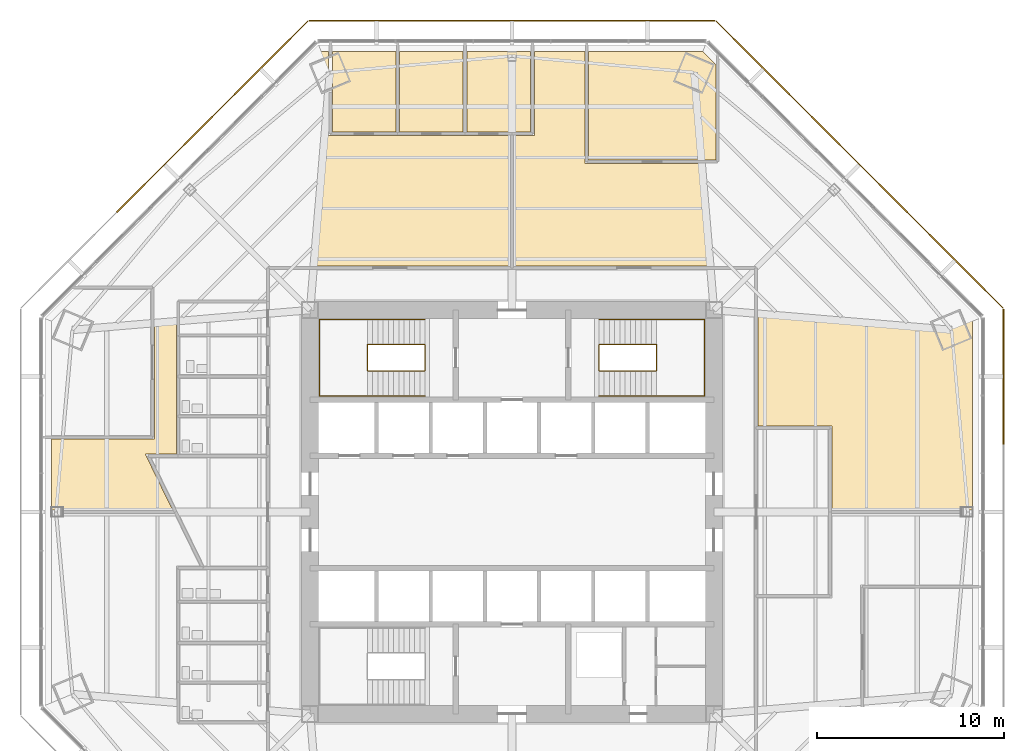
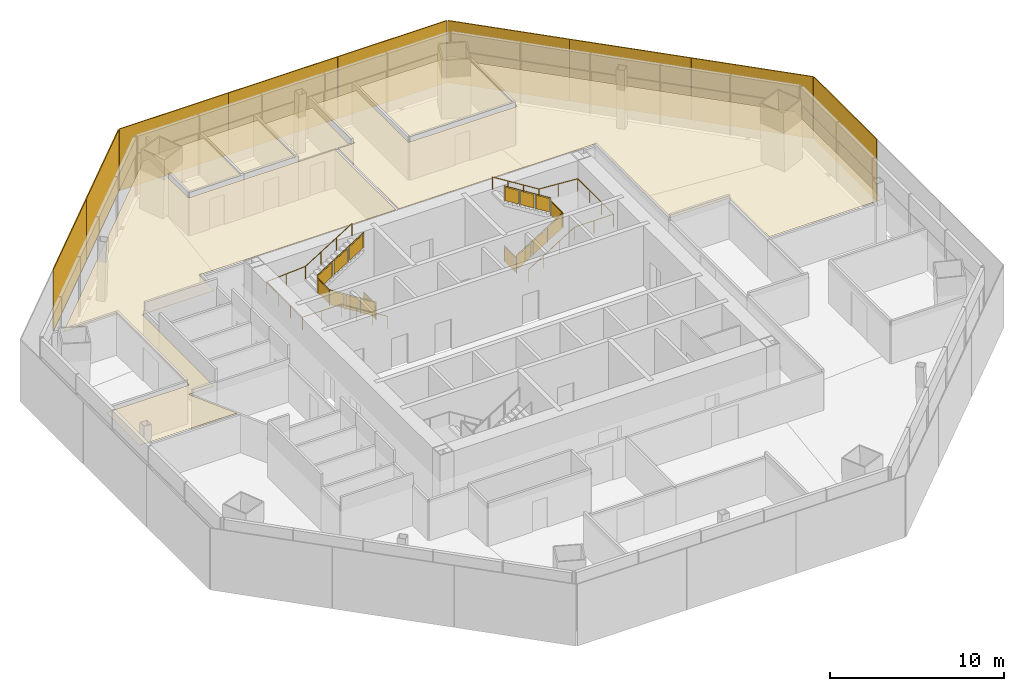
# One storey, part 15 of 16: 9 shading devices, 6 coverings, 4 railings.
"""IFC4 building model written with IfcOpenShell, lengths in metres."""

from ifc_helpers import new_model, si_unit, direction, frame, origin, origin_2d, place, context, subcontext, project, spatial, polyline, rectangle, circle, outline, extrude, source, transform, mapped, material, layer, layer_set, type_object, type_shapes, element, save


model = new_model("IFC4")

# Units and contexts
model_context = context("Model", 3, precision=1e-05, world=origin(), true_north=direction((0.0, 1.0)))
body_context = subcontext(model_context, "Body", "Model", "MODEL_VIEW")
ifc_project = project(units=[si_unit("LENGTHUNIT", "METRE"), si_unit("AREAUNIT", "SQUARE_METRE"), si_unit("VOLUMEUNIT", "CUBIC_METRE"), si_unit("PLANEANGLEUNIT", "RADIAN"), si_unit("MASSUNIT", "GRAM", prefix="KILO")], contexts=[model_context])

# Site, building, storey
site_placement = place(None, origin())
site = spatial("IfcSite", under=ifc_project, at=site_placement, CompositionType="ELEMENT")
building_placement = place(site_placement, origin())
building = spatial("IfcBuilding", under=site, at=building_placement, Name="Mashrafa Tower", CompositionType="ELEMENT")
storey_placement = place(building_placement, frame((0.0, 0.0, 100.199951171875)))
storey = spatial("IfcBuildingStorey", under=building, at=storey_placement, Name="L22", CompositionType="ELEMENT", Elevation=100.199951171875)

# Railings
ifc_material_1 = material(Name="Steel guard with glass infill", Category="steel")
railing_type_1 = type_object("IfcRailingType", Name="Stair guard 1100", PredefinedType="GUARDRAIL", material=ifc_material_1)
railing_1_placement = place(storey_placement, frame((-4.64990234375, 8.949951171875, 0.0)))
element("IfcRailing", 1, at=railing_1_placement, inside=storey, type_object=railing_type_1, Name="Stair S1 guard L22", PredefinedType="GUARDRAIL", context=body_context, shape_type="SweptSolid", body=[
    extrude(circle(Radius=0.02392578125, at=origin_2d()), frame((0.0, 0.0, 1.076171875), z_axis=(0.0, -1.0, 0.0), x_axis=(1.0, 0.0, 0.0)), (0.0, 0.0, 1.0), 1.39990234375),
    extrude(circle(Radius=0.02392578125, at=origin_2d()), frame((0.0, -1.39990234375, 1.076171875), z_axis=(0.0, 0.0, 1.0), x_axis=(1.0, 0.0, 0.0)), (0.0, 0.0, 1.0), 0.175048828125),
    extrude(circle(Radius=0.02392578125, at=origin_2d()), frame((0.0, -1.39990234375, 1.2509765625), z_axis=(-0.847998304005, 0.0, 0.529998940003), x_axis=(0.0, -1.0, 0.0)), (0.0, 0.0, 1.0), 3.632080078125),
    extrude(circle(Radius=0.02392578125, at=origin_2d()), frame((-3.080078125, -1.39990234375, 3.17626953125), z_axis=(0.0, 1.0, 0.0), x_axis=(-1.0, 0.0, 0.0)), (0.0, 0.0, 1.0), 1.39990234375),
    extrude(circle(Radius=0.02392578125, at=origin_2d()), frame((-3.080078125, 0.0, 3.17626953125), z_axis=(0.0, 0.0, 1.0), x_axis=(1.0, 0.0, 0.0)), (0.0, 0.0, 1.0), 0.175048828125),
    extrude(circle(Radius=0.02392578125, at=origin_2d()), frame((-3.080078125, 0.0, 3.35107421875), z_axis=(0.848028513186, 0.0, 0.529950602248), x_axis=(0.0, 1.0, 0.0)), (0.0, 0.0, 1.0), 3.632080078125),
    extrude(circle(Radius=0.02099609375, at=origin_2d()), origin(), (0.0, 0.0, 1.0), 1.052001953125),
    extrude(circle(Radius=0.02099609375, at=origin_2d()), frame((0.0, -1.39990234375, 0.0)), (0.0, 0.0, 1.0), 1.052001953125),
    extrude(circle(Radius=0.02099609375, at=origin_2d()), frame((0.0, -1.39990234375, 0.175048828125)), (0.0, 0.0, 1.0), 1.052001953125),
    extrude(circle(Radius=0.02099609375, at=origin_2d()), frame((-1.026611328125, -1.39990234375, 0.816650390625)), (0.0, 0.0, 1.0), 1.052001953125),
    extrude(circle(Radius=0.02099609375, at=origin_2d()), frame((-2.053466796875, -1.39990234375, 1.45849609375)), (0.0, 0.0, 1.0), 1.052001953125),
    extrude(circle(Radius=0.02099609375, at=origin_2d()), frame((-3.080078125, -1.39990234375, 2.10009765625)), (0.0, 0.0, 1.0), 1.052001953125),
    extrude(circle(Radius=0.02099609375, at=origin_2d()), frame((-3.080078125, 0.0, 2.10009765625)), (0.0, 0.0, 1.0), 1.052001953125),
    extrude(circle(Radius=0.02099609375, at=origin_2d()), frame((-3.080078125, 0.0, 2.275146484375)), (0.0, 0.0, 1.0), 1.052001953125),
    extrude(circle(Radius=0.02099609375, at=origin_2d()), frame((-2.053466796875, 0.0, 2.916748046875)), (0.0, 0.0, 1.0), 1.052001953125),
    extrude(circle(Radius=0.02099609375, at=origin_2d()), frame((-1.026611328125, 0.0, 3.558349609375)), (0.0, 0.0, 1.0), 1.052001953125),
    extrude(circle(Radius=0.02099609375, at=origin_2d()), frame((0.0, 0.0, 4.199951171875)), (0.0, 0.0, 1.0), 1.052001953125),
    extrude(outline(polyline([(0.071044921875, 0.050048828125), (1.328857421875, 0.050048828125), (1.328857421875, 1.001953125), (0.071044921875, 1.001953125), (0.071044921875, 0.050048828125)])), frame((-0.006103515625, 0.0, 0.0), z_axis=(-1.0, 0.0, 0.0), x_axis=(0.0, -1.0, 0.0)), (0.0, 0.0, 1.0), 0.011962890625),
    extrude(outline(polyline([(0.071044921875, 0.094482421875), (0.955810546875, 0.647216796875), (0.955810546875, 1.599365234375), (0.071044921875, 1.04638671875), (0.071044921875, 0.094482421875)])), frame((0.0, -1.393798828125, 0.175048828125), z_axis=(0.0, 1.0, 0.0), x_axis=(-1.0, 0.0, 0.0)), (0.0, 0.0, 1.0), 0.011962890625),
    extrude(outline(polyline([(1.09765625, 0.736083984375), (1.982421875, 1.2890625), (1.982421875, 2.240966796875), (1.09765625, 1.68798828125), (1.09765625, 0.736083984375)])), frame((0.0, -1.393798828125, 0.175048828125), z_axis=(0.0, 1.0, 0.0), x_axis=(-1.0, 0.0, 0.0)), (0.0, 0.0, 1.0), 0.011962890625),
    extrude(outline(polyline([(2.124267578125, 1.377685546875), (3.009033203125, 1.9306640625), (3.009033203125, 2.882568359375), (2.124267578125, 2.329833984375), (2.124267578125, 1.377685546875)])), frame((0.0, -1.393798828125, 0.175048828125), z_axis=(0.0, 1.0, 0.0), x_axis=(-1.0, 0.0, 0.0)), (0.0, 0.0, 1.0), 0.011962890625),
    extrude(outline(polyline([(0.071044921875, 0.050048828125), (1.328857421875, 0.050048828125), (1.328857421875, 1.001953125), (0.071044921875, 1.001953125), (0.071044921875, 0.050048828125)])), frame((-3.073974609375, -1.39990234375, 2.10009765625), z_axis=(1.0, 0.0, 0.0), x_axis=(0.0, 1.0, 0.0)), (0.0, 0.0, 1.0), 0.011962890625),
    extrude(outline(polyline([(0.071044921875, 0.094482421875), (0.955810546875, 0.647216796875), (0.955810546875, 1.59912109375), (0.071044921875, 1.04638671875), (0.071044921875, 0.094482421875)])), frame((-3.080078125, -0.006103515625, 2.275146484375), z_axis=(0.0, -1.0, 0.0), x_axis=(1.0, 0.0, 0.0)), (0.0, 0.0, 1.0), 0.011962890625),
    extrude(outline(polyline([(1.09765625, 0.736083984375), (1.982421875, 1.288818359375), (1.982421875, 2.24072265625), (1.09765625, 1.68798828125), (1.09765625, 0.736083984375)])), frame((-3.080078125, -0.006103515625, 2.275146484375), z_axis=(0.0, -1.0, 0.0), x_axis=(1.0, 0.0, 0.0)), (0.0, 0.0, 1.0), 0.011962890625),
    extrude(outline(polyline([(2.124267578125, 1.377685546875), (3.009033203125, 1.930419921875), (3.009033203125, 2.88232421875), (2.124267578125, 2.32958984375), (2.124267578125, 1.377685546875)])), frame((-3.080078125, -0.006103515625, 2.275146484375), z_axis=(0.0, -1.0, 0.0), x_axis=(1.0, 0.0, 0.0)), (0.0, 0.0, 1.0), 0.011962890625),
])
railing_2_placement = place(storey_placement, frame((4.64990234375, 8.949951171875, 0.0)))
element("IfcRailing", 2, at=railing_2_placement, inside=storey, type_object=railing_type_1, Name="Stair S2 guard L22", PredefinedType="GUARDRAIL", context=body_context, shape_type="SweptSolid", body=[
    extrude(circle(Radius=0.02392578125, at=origin_2d()), frame((0.0, 0.0, 1.076171875), z_axis=(0.0, -1.0, 0.0), x_axis=(1.0, 0.0, 0.0)), (0.0, 0.0, 1.0), 1.39990234375),
    extrude(circle(Radius=0.02392578125, at=origin_2d()), frame((0.0, -1.39990234375, 1.076171875), z_axis=(0.0, 0.0, 1.0), x_axis=(1.0, 0.0, 0.0)), (0.0, 0.0, 1.0), 0.175048828125),
    extrude(circle(Radius=0.02392578125, at=origin_2d()), frame((0.0, -1.39990234375, 1.2509765625), z_axis=(0.847998304005, 0.0, 0.529998940003), x_axis=(0.0, 1.0, 0.0)), (0.0, 0.0, 1.0), 3.632080078125),
    extrude(circle(Radius=0.02392578125, at=origin_2d()), frame((3.080078125, -1.39990234375, 3.17626953125), z_axis=(0.0, 1.0, 0.0), x_axis=(-1.0, 0.0, 0.0)), (0.0, 0.0, 1.0), 1.39990234375),
    extrude(circle(Radius=0.02392578125, at=origin_2d()), frame((3.080078125, 0.0, 3.17626953125), z_axis=(0.0, 0.0, 1.0), x_axis=(1.0, 0.0, 0.0)), (0.0, 0.0, 1.0), 0.175048828125),
    extrude(circle(Radius=0.02392578125, at=origin_2d()), frame((3.080078125, 0.0, 3.35107421875), z_axis=(-0.848028513186, 0.0, 0.529950602248), x_axis=(0.0, -1.0, 0.0)), (0.0, 0.0, 1.0), 3.632080078125),
    extrude(circle(Radius=0.02099609375, at=origin_2d()), origin(), (0.0, 0.0, 1.0), 1.052001953125),
    extrude(circle(Radius=0.02099609375, at=origin_2d()), frame((0.0, -1.39990234375, 0.0)), (0.0, 0.0, 1.0), 1.052001953125),
    extrude(circle(Radius=0.02099609375, at=origin_2d()), frame((0.0, -1.39990234375, 0.175048828125)), (0.0, 0.0, 1.0), 1.052001953125),
    extrude(circle(Radius=0.02099609375, at=origin_2d()), frame((1.026611328125, -1.39990234375, 0.816650390625)), (0.0, 0.0, 1.0), 1.052001953125),
    extrude(circle(Radius=0.02099609375, at=origin_2d()), frame((2.053466796875, -1.39990234375, 1.45849609375)), (0.0, 0.0, 1.0), 1.052001953125),
    extrude(circle(Radius=0.02099609375, at=origin_2d()), frame((3.080078125, -1.39990234375, 2.10009765625)), (0.0, 0.0, 1.0), 1.052001953125),
    extrude(circle(Radius=0.02099609375, at=origin_2d()), frame((3.080078125, 0.0, 2.10009765625)), (0.0, 0.0, 1.0), 1.052001953125),
    extrude(circle(Radius=0.02099609375, at=origin_2d()), frame((3.080078125, 0.0, 2.275146484375)), (0.0, 0.0, 1.0), 1.052001953125),
    extrude(circle(Radius=0.02099609375, at=origin_2d()), frame((2.053466796875, 0.0, 2.916748046875)), (0.0, 0.0, 1.0), 1.052001953125),
    extrude(circle(Radius=0.02099609375, at=origin_2d()), frame((1.026611328125, 0.0, 3.558349609375)), (0.0, 0.0, 1.0), 1.052001953125),
    extrude(circle(Radius=0.02099609375, at=origin_2d()), frame((0.0, 0.0, 4.199951171875)), (0.0, 0.0, 1.0), 1.052001953125),
    extrude(outline(polyline([(0.071044921875, 0.050048828125), (1.328857421875, 0.050048828125), (1.328857421875, 1.001953125), (0.071044921875, 1.001953125), (0.071044921875, 0.050048828125)])), frame((-0.006103515625, 0.0, 0.0), z_axis=(-1.0, 0.0, 0.0), x_axis=(0.0, -1.0, 0.0)), (0.0, 0.0, 1.0), 0.011962890625),
    extrude(outline(polyline([(0.071044921875, 0.094482421875), (0.955810546875, 0.647216796875), (0.955810546875, 1.599365234375), (0.071044921875, 1.04638671875), (0.071044921875, 0.094482421875)])), frame((0.0, -1.406005859375, 0.175048828125), z_axis=(0.0, -1.0, 0.0), x_axis=(1.0, 0.0, 0.0)), (0.0, 0.0, 1.0), 0.011962890625),
    extrude(outline(polyline([(1.09765625, 0.736083984375), (1.982421875, 1.2890625), (1.982421875, 2.240966796875), (1.09765625, 1.68798828125), (1.09765625, 0.736083984375)])), frame((0.0, -1.406005859375, 0.175048828125), z_axis=(0.0, -1.0, 0.0), x_axis=(1.0, 0.0, 0.0)), (0.0, 0.0, 1.0), 0.011962890625),
    extrude(outline(polyline([(2.124267578125, 1.377685546875), (3.009033203125, 1.9306640625), (3.009033203125, 2.882568359375), (2.124267578125, 2.329833984375), (2.124267578125, 1.377685546875)])), frame((0.0, -1.406005859375, 0.175048828125), z_axis=(0.0, -1.0, 0.0), x_axis=(1.0, 0.0, 0.0)), (0.0, 0.0, 1.0), 0.011962890625),
    extrude(outline(polyline([(0.071044921875, 0.050048828125), (1.328857421875, 0.050048828125), (1.328857421875, 1.001953125), (0.071044921875, 1.001953125), (0.071044921875, 0.050048828125)])), frame((3.086181640625, -1.39990234375, 2.10009765625), z_axis=(1.0, 0.0, 0.0), x_axis=(0.0, 1.0, 0.0)), (0.0, 0.0, 1.0), 0.011962890625),
    extrude(outline(polyline([(0.071044921875, 0.094482421875), (0.955810546875, 0.647216796875), (0.955810546875, 1.59912109375), (0.071044921875, 1.04638671875), (0.071044921875, 0.094482421875)])), frame((3.080078125, 0.006103515625, 2.275146484375), z_axis=(0.0, 1.0, 0.0), x_axis=(-1.0, 0.0, 0.0)), (0.0, 0.0, 1.0), 0.011962890625),
    extrude(outline(polyline([(1.09765625, 0.736083984375), (1.982421875, 1.288818359375), (1.982421875, 2.24072265625), (1.09765625, 1.68798828125), (1.09765625, 0.736083984375)])), frame((3.080078125, 0.006103515625, 2.275146484375), z_axis=(0.0, 1.0, 0.0), x_axis=(-1.0, 0.0, 0.0)), (0.0, 0.0, 1.0), 0.011962890625),
    extrude(outline(polyline([(2.124267578125, 1.377685546875), (3.009033203125, 1.930419921875), (3.009033203125, 2.88232421875), (2.124267578125, 2.32958984375), (2.124267578125, 1.377685546875)])), frame((3.080078125, 0.006103515625, 2.275146484375), z_axis=(0.0, 1.0, 0.0), x_axis=(-1.0, 0.0, 0.0)), (0.0, 0.0, 1.0), 0.011962890625),
])
ifc_material_2 = material(Name="Steel", Category="steel")
railing_type_2 = type_object("IfcRailingType", Name="Stair handrail 900", PredefinedType="HANDRAIL", material=ifc_material_2)
railing_3_placement = place(storey_placement, frame((-4.64990234375, 6.199951171875, 0.175048828125)))
element("IfcRailing", 3, at=railing_3_placement, inside=storey, type_object=railing_type_2, Name="Stair S1 handrail L22", PredefinedType="HANDRAIL", context=body_context, shape_type="SweptSolid", body=[
    extrude(circle(Radius=0.02392578125, at=origin_2d()), frame((0.0, 0.0, 0.8759765625), z_axis=(-0.847998304005, 0.0, 0.529998940003), x_axis=(0.0, -1.0, 0.0)), (0.0, 0.0, 1.0), 3.632080078125),
    extrude(circle(Radius=0.02392578125, at=origin_2d()), frame((-3.080078125, 0.0, 2.80078125), z_axis=(-1.0, 0.0, 0.0), x_axis=(0.0, -1.0, 0.0)), (0.0, 0.0, 1.0), 2.570068359375),
    extrude(circle(Radius=0.02392578125, at=origin_2d()), frame((-5.650146484375, 0.0, 2.80078125), z_axis=(0.0, 1.0, 0.0), x_axis=(-1.0, 0.0, 0.0)), (0.0, 0.0, 1.0), 4.10009765625),
    extrude(circle(Radius=0.02392578125, at=origin_2d()), frame((-5.650146484375, 4.10009765625, 2.80078125), z_axis=(0.997688514158, 0.0, 0.067953136188), x_axis=(0.0, 1.0, 0.0)), (0.0, 0.0, 1.0), 2.575927734375),
    extrude(circle(Radius=0.02392578125, at=origin_2d()), frame((-3.080078125, 4.10009765625, 2.97607421875), z_axis=(0.848028513186, 0.0, 0.529950602248), x_axis=(0.0, 1.0, 0.0)), (0.0, 0.0, 1.0), 3.632080078125),
    extrude(circle(Radius=0.02099609375, at=origin_2d()), origin(), (0.0, 0.0, 1.0), 0.851806640625),
    extrude(circle(Radius=0.02099609375, at=origin_2d()), frame((-1.026611328125, 0.0, 0.6416015625)), (0.0, 0.0, 1.0), 0.851806640625),
    extrude(circle(Radius=0.02099609375, at=origin_2d()), frame((-2.053466796875, 0.0, 1.283447265625)), (0.0, 0.0, 1.0), 0.851806640625),
    extrude(circle(Radius=0.02099609375, at=origin_2d()), frame((-3.080078125, 0.0, 1.925048828125)), (0.0, 0.0, 1.0), 0.851806640625),
    extrude(circle(Radius=0.02099609375, at=origin_2d()), frame((-4.365234375, 0.0, 1.925048828125)), (0.0, 0.0, 1.0), 0.851806640625),
    extrude(circle(Radius=0.02099609375, at=origin_2d()), frame((-5.650146484375, 0.0, 1.925048828125)), (0.0, 0.0, 1.0), 0.851806640625),
    extrude(circle(Radius=0.02099609375, at=origin_2d()), frame((-5.650146484375, 1.36669921875, 1.925048828125)), (0.0, 0.0, 1.0), 0.851806640625),
    extrude(circle(Radius=0.02099609375, at=origin_2d()), frame((-5.650146484375, 2.7333984375, 1.925048828125)), (0.0, 0.0, 1.0), 0.851806640625),
    extrude(circle(Radius=0.02099609375, at=origin_2d()), frame((-5.650146484375, 4.10009765625, 1.925048828125)), (0.0, 0.0, 1.0), 0.851806640625),
    extrude(circle(Radius=0.02099609375, at=origin_2d()), frame((-4.365234375, 4.10009765625, 2.0126953125)), (0.0, 0.0, 1.0), 0.851806640625),
    extrude(circle(Radius=0.02099609375, at=origin_2d()), frame((-3.080078125, 4.10009765625, 2.10009765625)), (0.0, 0.0, 1.0), 0.851806640625),
    extrude(circle(Radius=0.02099609375, at=origin_2d()), frame((-2.053466796875, 4.10009765625, 2.74169921875)), (0.0, 0.0, 1.0), 0.851806640625),
    extrude(circle(Radius=0.02099609375, at=origin_2d()), frame((-1.026611328125, 4.10009765625, 3.38330078125)), (0.0, 0.0, 1.0), 0.851806640625),
    extrude(circle(Radius=0.02099609375, at=origin_2d()), frame((0.0, 4.10009765625, 4.02490234375)), (0.0, 0.0, 1.0), 0.851806640625),
])
railing_4_placement = place(storey_placement, frame((4.64990234375, 6.199951171875, 0.175048828125)))
element("IfcRailing", 4, at=railing_4_placement, inside=storey, type_object=railing_type_2, Name="Stair S2 handrail L22", PredefinedType="HANDRAIL", context=body_context, shape_type="SweptSolid", body=[
    extrude(circle(Radius=0.02392578125, at=origin_2d()), frame((0.0, 0.0, 0.8759765625), z_axis=(0.847998304005, 0.0, 0.529998940003), x_axis=(0.0, 1.0, 0.0)), (0.0, 0.0, 1.0), 3.632080078125),
    extrude(circle(Radius=0.02392578125, at=origin_2d()), frame((3.080078125, 0.0, 2.80078125), z_axis=(1.0, 0.0, 0.0), x_axis=(0.0, 1.0, 0.0)), (0.0, 0.0, 1.0), 2.570068359375),
    extrude(circle(Radius=0.02392578125, at=origin_2d()), frame((5.650146484375, 0.0, 2.80078125), z_axis=(0.0, 1.0, 0.0), x_axis=(-1.0, 0.0, 0.0)), (0.0, 0.0, 1.0), 4.10009765625),
    extrude(circle(Radius=0.02392578125, at=origin_2d()), frame((5.650146484375, 4.10009765625, 2.80078125), z_axis=(-0.997688514158, 0.0, 0.067953136188), x_axis=(0.0, -1.0, 0.0)), (0.0, 0.0, 1.0), 2.575927734375),
    extrude(circle(Radius=0.02392578125, at=origin_2d()), frame((3.080078125, 4.10009765625, 2.97607421875), z_axis=(-0.848028513186, 0.0, 0.529950602248), x_axis=(0.0, -1.0, 0.0)), (0.0, 0.0, 1.0), 3.632080078125),
    extrude(circle(Radius=0.02099609375, at=origin_2d()), origin(), (0.0, 0.0, 1.0), 0.851806640625),
    extrude(circle(Radius=0.02099609375, at=origin_2d()), frame((1.026611328125, 0.0, 0.6416015625)), (0.0, 0.0, 1.0), 0.851806640625),
    extrude(circle(Radius=0.02099609375, at=origin_2d()), frame((2.053466796875, 0.0, 1.283447265625)), (0.0, 0.0, 1.0), 0.851806640625),
    extrude(circle(Radius=0.02099609375, at=origin_2d()), frame((3.080078125, 0.0, 1.925048828125)), (0.0, 0.0, 1.0), 0.851806640625),
    extrude(circle(Radius=0.02099609375, at=origin_2d()), frame((4.365234375, 0.0, 1.925048828125)), (0.0, 0.0, 1.0), 0.851806640625),
    extrude(circle(Radius=0.02099609375, at=origin_2d()), frame((5.650146484375, 0.0, 1.925048828125)), (0.0, 0.0, 1.0), 0.851806640625),
    extrude(circle(Radius=0.02099609375, at=origin_2d()), frame((5.650146484375, 1.36669921875, 1.925048828125)), (0.0, 0.0, 1.0), 0.851806640625),
    extrude(circle(Radius=0.02099609375, at=origin_2d()), frame((5.650146484375, 2.7333984375, 1.925048828125)), (0.0, 0.0, 1.0), 0.851806640625),
    extrude(circle(Radius=0.02099609375, at=origin_2d()), frame((5.650146484375, 4.10009765625, 1.925048828125)), (0.0, 0.0, 1.0), 0.851806640625),
    extrude(circle(Radius=0.02099609375, at=origin_2d()), frame((4.365234375, 4.10009765625, 2.0126953125)), (0.0, 0.0, 1.0), 0.851806640625),
    extrude(circle(Radius=0.02099609375, at=origin_2d()), frame((3.080078125, 4.10009765625, 2.10009765625)), (0.0, 0.0, 1.0), 0.851806640625),
    extrude(circle(Radius=0.02099609375, at=origin_2d()), frame((2.053466796875, 4.10009765625, 2.74169921875)), (0.0, 0.0, 1.0), 0.851806640625),
    extrude(circle(Radius=0.02099609375, at=origin_2d()), frame((1.026611328125, 4.10009765625, 3.38330078125)), (0.0, 0.0, 1.0), 0.851806640625),
    extrude(circle(Radius=0.02099609375, at=origin_2d()), frame((0.0, 4.10009765625, 4.02490234375)), (0.0, 0.0, 1.0), 0.851806640625),
])

# Coverings
ifc_material_3 = material(Name="Mineral fibre tile on suspension grid")
ifc_layer_1 = layer(ifc_material_3, 0.014892578125)
ifc_layer_set_1 = layer_set([ifc_layer_1], Name="Suspended ceiling mineral tile 15")
covering_type = type_object("IfcCoveringType", Name="Suspended ceiling mineral tile 15", PredefinedType="CEILING", material=ifc_layer_set_1)
covering_1_placement = place(storey_placement, frame((0.0, 0.0, 2.900146484375)))
element("IfcCovering", 5, at=covering_1_placement, inside=storey, type_object=covering_type, Name="Ceiling Chairman's Office 22", PredefinedType="CEILING", context=body_context, shape_type="SweptSolid", body=[
    extrude(outline(polyline([(4.10009765625, 24.630126953125), (10.2021484375, 24.630126953125), (10.89990234375, 23.932373046875), (10.89990234375, 18.830078125), (4.10009765625, 18.830078125), (4.10009765625, 24.630126953125)])), origin(), (0.0, 0.0, 1.0), 0.014892578125),
])
covering_2_placement = place(storey_placement, frame((0.0, 0.0, 2.5)))
element("IfcCovering", 6, at=covering_2_placement, inside=storey, type_object=covering_type, Name="Ceiling Executive Office 22-1", PredefinedType="CEILING", context=body_context, shape_type="SweptSolid", body=[
    extrude(outline(polyline([(-2.409912109375, 24.630126953125), (0.989990234375, 24.630126953125), (0.989990234375, 20.330078125), (-2.409912109375, 20.330078125), (-2.409912109375, 24.630126953125)])), origin(), (0.0, 0.0, 1.0), 0.01513671875),
])
covering_3_placement = place(storey_placement, frame((0.0, 0.0, 2.900146484375)))
element("IfcCovering", 7, at=covering_3_placement, inside=storey, type_object=covering_type, Name="Ceiling Executive Office 22-2", PredefinedType="CEILING", context=body_context, shape_type="SweptSolid", body=[
    extrude(outline(polyline([(-6.010009765625, 24.630126953125), (-2.610107421875, 24.630126953125), (-2.610107421875, 20.330078125), (-6.010009765625, 20.330078125), (-6.010009765625, 24.630126953125)])), origin(), (0.0, 0.0, 1.0), 0.014892578125),
])
covering_4_placement = place(storey_placement, frame((0.0, 0.0, 2.900146484375)))
element("IfcCovering", 8, at=covering_4_placement, inside=storey, type_object=covering_type, Name="Ceiling Executive Office 22-3", PredefinedType="CEILING", context=body_context, shape_type="SweptSolid", body=[
    extrude(outline(polyline([(-9.610107421875, 24.630126953125), (-6.2099609375, 24.630126953125), (-6.2099609375, 20.330078125), (-9.610107421875, 20.330078125), (-9.610107421875, 24.630126953125)])), origin(), (0.0, 0.0, 1.0), 0.014892578125),
])
covering_5_placement = place(storey_placement, frame((0.0, 0.0, 2.699951171875)))
element("IfcCovering", 9, at=covering_5_placement, inside=storey, type_object=covering_type, Name="Ceiling Executive Support Office 22-NE", PredefinedType="CEILING", context=body_context, shape_type="SweptSolid", body=[
    extrude(outline(polyline([(0.10009765625, 13.14990234375), (0.10009765625, 20.130126953125), (1.18994140625, 20.130126953125), (1.18994140625, 24.630126953125), (3.89990234375, 24.630126953125), (3.89990234375, 18.630126953125), (11.10009765625, 18.630126953125), (11.10009765625, 23.732421875), (24.630126953125, 10.2021484375), (24.630126953125, 0.10009765625), (17.10009765625, 0.10009765625), (17.10009765625, 4.60009765625), (13.14990234375, 4.60009765625), (13.14990234375, 13.14990234375), (0.10009765625, 13.14990234375)])), origin(), (0.0, 0.0, 1.0), 0.01513671875),
])
covering_6_placement = place(storey_placement, frame((0.0, 0.0, 2.699951171875)))
element("IfcCovering", 10, at=covering_6_placement, inside=storey, type_object=covering_type, Name="Ceiling Strategy and Planning Office 22-NW", PredefinedType="CEILING", context=body_context, shape_type="SweptSolid", body=[
    extrude(outline(polyline([(-18.146728515625, 0.10009765625), (-24.630126953125, 0.10009765625), (-24.630126953125, 3.89990234375), (-19.130126953125, 3.89990234375), (-19.130126953125, 12.10009765625), (-22.732421875, 12.10009765625), (-10.2021484375, 24.630126953125), (-9.81005859375, 24.630126953125), (-9.81005859375, 20.130126953125), (-0.10009765625, 20.130126953125), (-0.10009765625, 13.14990234375), (-13.14990234375, 13.14990234375), (-13.14990234375, 11.35009765625), (-17.949951171875, 11.35009765625), (-17.949951171875, 3.10009765625), (-19.610107421875, 3.10009765625), (-18.146728515625, 0.10009765625)])), origin(), (0.0, 0.0, 1.0), 0.01513671875),
])

# Shading devices
ifc_material_4 = material(Name="Perforated aluminium plate, eight-point star pattern", Category="aluminium")
ifc_layer_2 = layer(ifc_material_4, 0.06005859375)
ifc_layer_set_2 = layer_set([ifc_layer_2], Name="Mashrabiya screen panel office zone 1, 45 percent open")
shading_device_type = type_object("IfcShadingDeviceType", Name="Mashrabiya screen panel office zone 1, 45 percent open", PredefinedType="SHUTTER", material=ifc_layer_set_2)
shared_shape = source(origin(), body_context, "Body", "SweptSolid", [
    extrude(rectangle(XDim=7.22216796875, YDim=0.06005859375, at=origin_2d()), origin(), (0.0, 0.0, 1.0), 4.330078125),
])
type_shapes(shading_device_type, [shared_shape])
for number, where, z_axis, x_axis, name in (
    (11, (26.2802734375, 7.2421875, -0.14990234375), (0.0, 0.0, 1.0), (0.0, 1.0, 0.0), "Mashrabiya screen L22 east 3"),
    (12, (23.703857421875, 13.4619140625, -0.14990234375), (0.0, 0.0, 1.0), (-0.707106781187, 0.707106781187, 0.0), "Mashrabiya screen L22 north-east 1"),
    (13, (18.5830078125, 18.5830078125, -0.14990234375), (0.0, 0.0, 1.0), (-0.707106781187, 0.707106781187, 0.0), "Mashrabiya screen L22 north-east 2"),
    (14, (13.4619140625, 23.703857421875, -0.14990234375), (0.0, 0.0, 1.0), (-0.707106781187, 0.707106781187, 0.0), "Mashrabiya screen L22 north-east 3"),
    (15, (7.2421875, 26.2802734375, -0.14990234375), (0.0, 0.0, 1.0), (-1.0, 0.0, 0.0), "Mashrabiya screen L22 north 1"),
    (16, (0.0, 26.2802734375, -0.14990234375), (0.0, 0.0, 1.0), (-1.0, 0.0, 0.0), "Mashrabiya screen L22 north 2"),
    (17, (-7.2421875, 26.2802734375, -0.14990234375), (0.0, 0.0, 1.0), (-1.0, 0.0, 0.0), "Mashrabiya screen L22 north 3"),
    (18, (-13.4619140625, 23.703857421875, -0.14990234375), (0.0, 0.0, 1.0), (-0.707106781187, -0.707106781187, 0.0), "Mashrabiya screen L22 north-west 1"),
    (19, (-18.5830078125, 18.5830078125, -0.14990234375), (0.0, 0.0, 1.0), (-0.707106781187, -0.707106781187, 0.0), "Mashrabiya screen L22 north-west 2"),
):
    element("IfcShadingDevice", number, at=place(storey_placement, frame(where, z_axis=z_axis, x_axis=x_axis)), inside=storey, type_object=shading_device_type, Name=name, PredefinedType="SHUTTER", context=body_context, shape_type="MappedRepresentation", body=[
        mapped(shared_shape, transform((0.0, 0.0, 0.0))),
    ])

save(model, "model.ifc")
